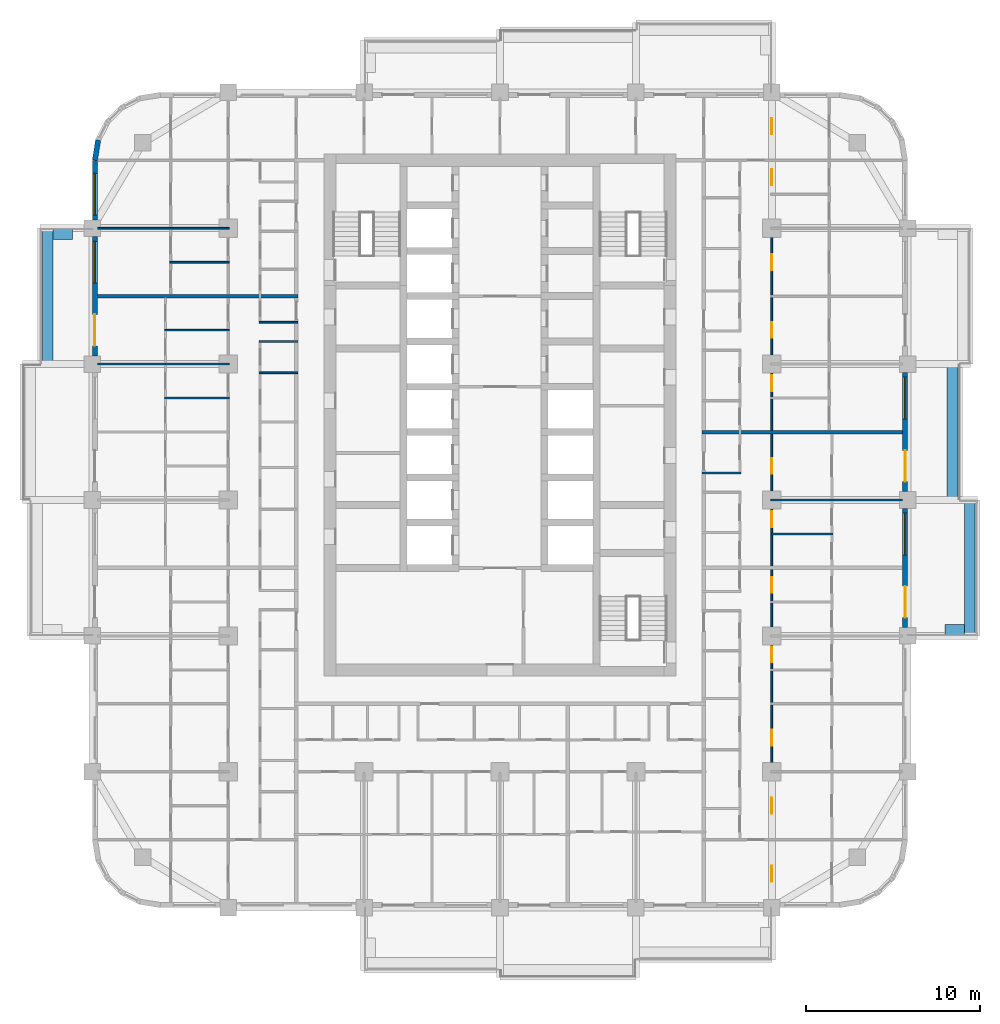
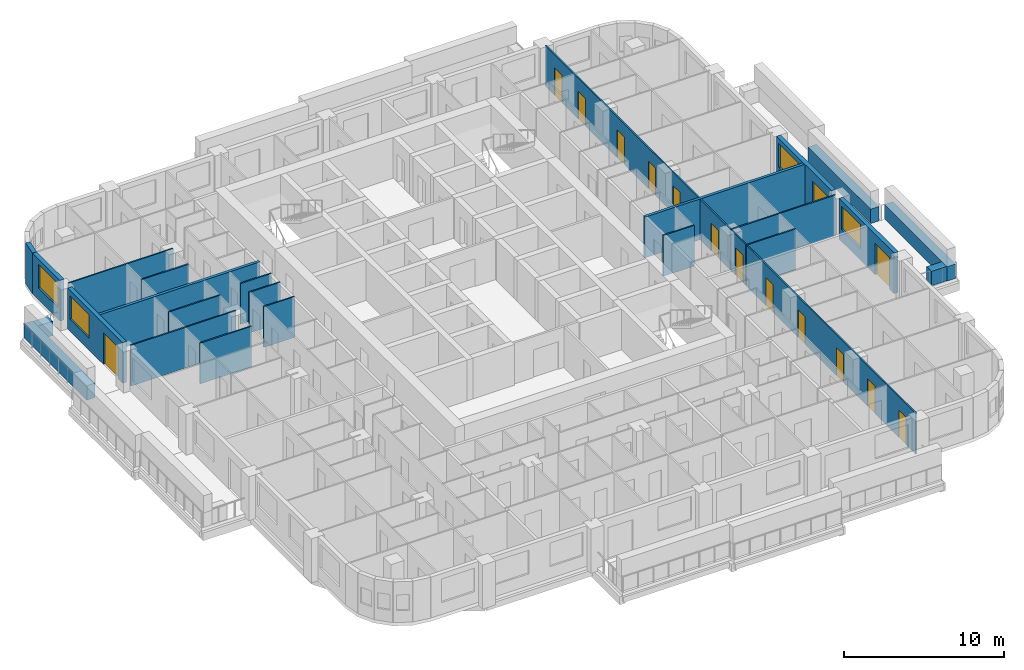
# One storey, part 9 of 17: 24 walls, 15 doors, 4 windows, 19 openings.
"""IFC4 building model written with IfcOpenShell, lengths in metres."""

from ifc_helpers import new_model, si_unit, direction, frame, frame_2d, origin, place, context, subcontext, project, spatial, rectangle, extrude, material, layer, layer_set, type_object, element, fill, save


model = new_model("IFC4")

# Units and contexts
model_context = context("Model", 3, precision=1e-05, world=origin(), true_north=direction((0.0, 1.0)))
body_context = subcontext(model_context, "Body", "Model", "MODEL_VIEW")
ifc_project = project(units=[si_unit("LENGTHUNIT", "METRE"), si_unit("AREAUNIT", "SQUARE_METRE"), si_unit("VOLUMEUNIT", "CUBIC_METRE"), si_unit("PLANEANGLEUNIT", "RADIAN"), si_unit("MASSUNIT", "GRAM", prefix="KILO")], contexts=[model_context])

# Site, building, storey
site_placement = place(None, origin())
site = spatial("IfcSite", under=ifc_project, at=site_placement, CompositionType="ELEMENT")
building_placement = place(site_placement, origin())
building = spatial("IfcBuilding", under=site, at=building_placement, Name="Ludao Terraces", CompositionType="ELEMENT")
storey_placement = place(building_placement, frame((0.0, 0.0, 92.0)))
storey = spatial("IfcBuildingStorey", under=building, at=storey_placement, Name="L25", CompositionType="ELEMENT", Elevation=92.0)

# Walls
ifc_material_1 = material(Name="Concrete C40", Category="concrete")
ifc_layer_1 = layer(ifc_material_1, 0.60009765625)
ifc_layer_set_1 = layer_set([ifc_layer_1], Name="ENV Planter trough 600")
wall_type_1 = type_object("IfcWallType", Name="ENV Planter trough 600", PredefinedType="USERDEFINED", material=ifc_layer_set_1)
wall_1_placement = place(storey_placement, frame((111.949951171875, 57.199951171875, 0.0), z_axis=(0.0, 0.0, 1.0), x_axis=(0.0, 1.0, 0.0)))
element("IfcWall", 1, at=wall_1_placement, inside=storey, type_object=wall_type_1, Name="PL-L25-E2", ObjectType="PLANTER", PredefinedType="USERDEFINED", context=body_context, shape_type="SweptSolid", body=[
    extrude(rectangle(XDim=7.800048828125, YDim=0.60009765625, at=frame_2d((3.89990234375, 0.0))), origin(), (0.0, 0.0, 1.0), 1.10009765625),
])
wall_2_placement = place(storey_placement, frame((111.64990234375, 57.550048828125, 0.0), z_axis=(0.0, 0.0, 1.0), x_axis=(-1.0, 0.0, 0.0)))
element("IfcWall", 2, at=wall_2_placement, inside=storey, type_object=wall_type_1, Name="PL-L25-E2-SA", ObjectType="PLANTER", PredefinedType="USERDEFINED", context=body_context, shape_type="SweptSolid", body=[
    extrude(rectangle(XDim=1.099853515625, YDim=0.60009765625, at=frame_2d((0.5498046875, 0.0))), origin(), (0.0, 0.0, 1.0), 1.10009765625),
])
for number, where, z_axis, x_axis, name in (
    (3, (110.949951171875, 65.0, 0.0), (0.0, 0.0, 1.0), (0.0, 1.0, 0.0), "PL-L25-E3"),
    (4, (59.050048828125, 72.800048828125, 0.0), (0.0, 0.0, 1.0), (0.0, 1.0, 0.0), "PL-L25-W4"),
):
    element("IfcWall", number, at=place(storey_placement, frame(where, z_axis=z_axis, x_axis=x_axis)), inside=storey, type_object=wall_type_1, Name=name, ObjectType="PLANTER", PredefinedType="USERDEFINED", context=body_context, shape_type="SweptSolid", body=[
        extrude(rectangle(XDim=7.800048828125, YDim=0.60009765625, at=frame_2d((3.89990234375, 0.0))), origin(), (0.0, 0.0, 1.0), 1.10009765625),
    ])
wall_3_placement = place(storey_placement, frame((59.35009765625, 80.25, 0.0), z_axis=(0.0, 0.0, 1.0), x_axis=(1.0, 0.0, 0.0)))
element("IfcWall", 5, at=wall_3_placement, inside=storey, type_object=wall_type_1, Name="PL-L25-W4-SB", ObjectType="PLANTER", PredefinedType="USERDEFINED", context=body_context, shape_type="SweptSolid", body=[
    extrude(rectangle(XDim=1.099853515625, YDim=0.60009765625, at=frame_2d((0.5498046875, 0.0))), origin(), (0.0, 0.0, 1.0), 1.10009765625),
])

# Wall, openings, door, window
ifc_material_2 = material(Name="Granite cladding", Category="masonry")
ifc_layer_2 = layer(ifc_material_2, 0.0400390625, Category="stone")
ifc_material_3 = material(Name="Mineral wool")
ifc_layer_3 = layer(ifc_material_3, 0.06005859375)
ifc_layer_4 = layer(ifc_material_1, 0.199951171875, Category="concrete")
ifc_layer_set_2 = layer_set([ifc_layer_2, ifc_layer_3, ifc_layer_4], Name="ENV Stone-clad wall 300")
wall_type_2 = type_object("IfcWallType", Name="ENV Stone-clad wall 300", PredefinedType="SOLIDWALL", material=ifc_layer_set_2)
wall_4_placement = place(storey_placement, frame((108.25, 57.675048828125, 0.0), z_axis=(0.0, 0.0, 1.0), x_axis=(0.0, 1.0, 0.0)))
wall_4 = element("IfcWall", 6, at=wall_4_placement, inside=storey, type_object=wall_type_2, Name="EW-L25-E3", PredefinedType="SOLIDWALL", context=body_context, shape_type="SweptSolid", body=[
    extrude(rectangle(XDim=6.849853515625, YDim=0.300048828125, at=frame_2d((3.4248046875, 0.0))), origin(), (0.0, 0.0, 1.0), 3.10009765625),
])
opening_1_placement = place(wall_4_placement, frame((0.574951171875, 0.0, 0.0)))
opening_1 = element("IfcOpeningElement", 7, at=opening_1_placement, cuts=wall_4, Name="Opening BD", PredefinedType="OPENING", context=body_context, shape_type="SweptSolid", body=[
    extrude(rectangle(XDim=1.800048828125, YDim=2.39990234375, at=frame_2d((0.89990234375, 1.199951171875))), frame((0.0, 0.16015625, 0.0), z_axis=(0.0, -1.0, 0.0), x_axis=(1.0, 0.0, 0.0)), (0.0, 0.0, 1.0), 0.320068359375),
])
opening_2_placement = place(wall_4_placement, frame((4.175048828125, 0.0, 0.89990234375)))
opening_2 = element("IfcOpeningElement", 8, at=opening_2_placement, cuts=wall_4, Name="Opening W1", PredefinedType="OPENING", context=body_context, shape_type="SweptSolid", body=[
    extrude(rectangle(XDim=2.39990234375, YDim=1.800048828125, at=frame_2d((1.199951171875, 0.89990234375))), frame((0.0, 0.16015625, 0.0), z_axis=(0.0, -1.0, 0.0), x_axis=(1.0, 0.0, 0.0)), (0.0, 0.0, 1.0), 0.320068359375),
])
ifc_material_4 = material(Name="Aluminium glazed door", Category="aluminium")
ifc_layer_5 = layer(ifc_material_4, 0.06005859375)
ifc_layer_set_3 = layer_set([ifc_layer_5], Name="ENV Balcony door BD 1800x2400")
door_type_1 = type_object("IfcDoorType", Name="ENV Balcony door BD 1800x2400", OperationType="DOUBLE_DOOR_SINGLE_SWING", PredefinedType="DOOR", material=ifc_layer_set_3)
door_1_placement = place(opening_1_placement, origin())
door_1 = element("IfcDoor", 9, at=door_1_placement, inside=storey, type_object=door_type_1, Name="BD-L25-E3-1", OperationType="DOUBLE_DOOR_SINGLE_SWING", OverallHeight=2.39990234375, OverallWidth=1.800048828125, PredefinedType="DOOR", context=body_context, shape_type="SweptSolid", body=[
    extrude(rectangle(XDim=1.800048828125, YDim=2.39990234375, at=frame_2d((0.89990234375, 1.199951171875))), frame((0.0, 0.02490234375, 0.0), z_axis=(0.0, -1.0, 0.0), x_axis=(1.0, 0.0, 0.0)), (0.0, 0.0, 1.0), 0.050048828125),
])
fill(opening_1, door_1)
ifc_material_5 = material(Name="Clear glass in aluminium frame", Category="aluminium")
ifc_layer_6 = layer(ifc_material_5, 0.06005859375)
ifc_layer_set_4 = layer_set([ifc_layer_6], Name="ENV Window W1 2400x1800")
window_type = type_object("IfcWindowType", Name="ENV Window W1 2400x1800", PartitioningType="DOUBLE_PANEL_VERTICAL", PredefinedType="WINDOW", material=ifc_layer_set_4)
window_1_placement = place(opening_2_placement, origin())
window_1 = element("IfcWindow", 10, at=window_1_placement, inside=storey, type_object=window_type, Name="W-L25-E3-2", OverallHeight=1.800048828125, OverallWidth=2.39990234375, PartitioningType="DOUBLE_PANEL_VERTICAL", PredefinedType="WINDOW", context=body_context, shape_type="SweptSolid", body=[
    extrude(rectangle(XDim=2.39990234375, YDim=1.800048828125, at=frame_2d((1.199951171875, 0.89990234375))), frame((0.0, 0.030029296875, 0.0), z_axis=(0.0, -1.0, 0.0), x_axis=(1.0, 0.0, 0.0)), (0.0, 0.0, 1.0), 0.06005859375),
])
fill(opening_2, window_1)

wall_5_placement = place(storey_placement, frame((108.25, 65.47509765625, 0.0), z_axis=(0.0, 0.0, 1.0), x_axis=(0.0, 1.0, 0.0)))
wall_5 = element("IfcWall", 11, at=wall_5_placement, inside=storey, type_object=wall_type_2, Name="EW-L25-E4", PredefinedType="SOLIDWALL", context=body_context, shape_type="SweptSolid", body=[
    extrude(rectangle(XDim=6.849853515625, YDim=0.300048828125, at=frame_2d((3.4248046875, 0.0))), origin(), (0.0, 0.0, 1.0), 3.10009765625),
])
opening_3_placement = place(wall_5_placement, frame((0.574951171875, 0.0, 0.0)))
opening_3 = element("IfcOpeningElement", 12, at=opening_3_placement, cuts=wall_5, Name="Opening BD", PredefinedType="OPENING", context=body_context, shape_type="SweptSolid", body=[
    extrude(rectangle(XDim=1.800048828125, YDim=2.39990234375, at=frame_2d((0.89990234375, 1.199951171875))), frame((0.0, 0.16015625, 0.0), z_axis=(0.0, -1.0, 0.0), x_axis=(1.0, 0.0, 0.0)), (0.0, 0.0, 1.0), 0.320068359375),
])
opening_4_placement = place(wall_5_placement, frame((4.175048828125, 0.0, 0.89990234375)))
opening_4 = element("IfcOpeningElement", 13, at=opening_4_placement, cuts=wall_5, Name="Opening W1", PredefinedType="OPENING", context=body_context, shape_type="SweptSolid", body=[
    extrude(rectangle(XDim=2.39990234375, YDim=1.800048828125, at=frame_2d((1.199951171875, 0.89990234375))), frame((0.0, 0.16015625, 0.0), z_axis=(0.0, -1.0, 0.0), x_axis=(1.0, 0.0, 0.0)), (0.0, 0.0, 1.0), 0.320068359375),
])
door_2_placement = place(opening_3_placement, origin())
door_2 = element("IfcDoor", 14, at=door_2_placement, inside=storey, type_object=door_type_1, Name="BD-L25-E4-1", OperationType="DOUBLE_DOOR_SINGLE_SWING", OverallHeight=2.39990234375, OverallWidth=1.800048828125, PredefinedType="DOOR", context=body_context, shape_type="SweptSolid", body=[
    extrude(rectangle(XDim=1.800048828125, YDim=2.39990234375, at=frame_2d((0.89990234375, 1.199951171875))), frame((0.0, 0.02490234375, 0.0), z_axis=(0.0, -1.0, 0.0), x_axis=(1.0, 0.0, 0.0)), (0.0, 0.0, 1.0), 0.050048828125),
])
fill(opening_3, door_2)
window_2_placement = place(opening_4_placement, origin())
window_2 = element("IfcWindow", 15, at=window_2_placement, inside=storey, type_object=window_type, Name="W-L25-E4-2", OverallHeight=1.800048828125, OverallWidth=2.39990234375, PartitioningType="DOUBLE_PANEL_VERTICAL", PredefinedType="WINDOW", context=body_context, shape_type="SweptSolid", body=[
    extrude(rectangle(XDim=2.39990234375, YDim=1.800048828125, at=frame_2d((1.199951171875, 0.89990234375))), frame((0.0, 0.030029296875, 0.0), z_axis=(0.0, -1.0, 0.0), x_axis=(1.0, 0.0, 0.0)), (0.0, 0.0, 1.0), 0.06005859375),
])
fill(opening_4, window_2)

wall_6_placement = place(storey_placement, frame((61.75, 73.27490234375, 0.0), z_axis=(0.0, 0.0, 1.0), x_axis=(0.0, 1.0, 0.0)))
wall_6 = element("IfcWall", 16, at=wall_6_placement, inside=storey, type_object=wall_type_2, Name="EW-L25-W5", PredefinedType="SOLIDWALL", context=body_context, shape_type="SweptSolid", body=[
    extrude(rectangle(XDim=6.85009765625, YDim=0.300048828125, at=frame_2d((3.425048828125, 0.0))), origin(), (0.0, 0.0, 1.0), 3.10009765625),
])
opening_5_placement = place(wall_6_placement, frame((0.574951171875, 0.0, 0.0)))
opening_5 = element("IfcOpeningElement", 17, at=opening_5_placement, cuts=wall_6, Name="Opening BD", PredefinedType="OPENING", context=body_context, shape_type="SweptSolid", body=[
    extrude(rectangle(XDim=1.800048828125, YDim=2.39990234375, at=frame_2d((0.89990234375, 1.199951171875))), frame((0.0, 0.16015625, 0.0), z_axis=(0.0, -1.0, 0.0), x_axis=(1.0, 0.0, 0.0)), (0.0, 0.0, 1.0), 0.320068359375),
])
opening_6_placement = place(wall_6_placement, frame((4.175048828125, 0.0, 0.89990234375)))
opening_6 = element("IfcOpeningElement", 18, at=opening_6_placement, cuts=wall_6, Name="Opening W1", PredefinedType="OPENING", context=body_context, shape_type="SweptSolid", body=[
    extrude(rectangle(XDim=2.39990234375, YDim=1.800048828125, at=frame_2d((1.199951171875, 0.89990234375))), frame((0.0, 0.16015625, 0.0), z_axis=(0.0, -1.0, 0.0), x_axis=(1.0, 0.0, 0.0)), (0.0, 0.0, 1.0), 0.320068359375),
])
door_3_placement = place(opening_5_placement, origin())
door_3 = element("IfcDoor", 19, at=door_3_placement, inside=storey, type_object=door_type_1, Name="BD-L25-W5-1", OperationType="DOUBLE_DOOR_SINGLE_SWING", OverallHeight=2.39990234375, OverallWidth=1.800048828125, PredefinedType="DOOR", context=body_context, shape_type="SweptSolid", body=[
    extrude(rectangle(XDim=1.800048828125, YDim=2.39990234375, at=frame_2d((0.89990234375, 1.199951171875))), frame((0.0, 0.02490234375, 0.0), z_axis=(0.0, -1.0, 0.0), x_axis=(1.0, 0.0, 0.0)), (0.0, 0.0, 1.0), 0.050048828125),
])
fill(opening_5, door_3)
window_3_placement = place(opening_6_placement, origin())
window_3 = element("IfcWindow", 20, at=window_3_placement, inside=storey, type_object=window_type, Name="W-L25-W5-2", OverallHeight=1.800048828125, OverallWidth=2.39990234375, PartitioningType="DOUBLE_PANEL_VERTICAL", PredefinedType="WINDOW", context=body_context, shape_type="SweptSolid", body=[
    extrude(rectangle(XDim=2.39990234375, YDim=1.800048828125, at=frame_2d((1.199951171875, 0.89990234375))), frame((0.0, 0.030029296875, 0.0), z_axis=(0.0, -1.0, 0.0), x_axis=(1.0, 0.0, 0.0)), (0.0, 0.0, 1.0), 0.06005859375),
])
fill(opening_6, window_3)

# Wall, opening, window
wall_7_placement = place(storey_placement, frame((61.75, 81.074951171875, 0.0), z_axis=(0.0, 0.0, 1.0), x_axis=(0.0, 1.0, 0.0)))
wall_7 = element("IfcWall", 21, at=wall_7_placement, inside=storey, type_object=wall_type_2, Name="EW-L25-W6", PredefinedType="SOLIDWALL", context=body_context, shape_type="SweptSolid", body=[
    extrude(rectangle(XDim=3.425048828125, YDim=0.300048828125, at=frame_2d((1.71240234375, 0.0))), origin(), (0.0, 0.0, 1.0), 3.10009765625),
])
opening_7_placement = place(wall_7_placement, frame((0.27490234375, 0.0, 0.89990234375)))
opening_7 = element("IfcOpeningElement", 22, at=opening_7_placement, cuts=wall_7, Name="Opening W1", PredefinedType="OPENING", context=body_context, shape_type="SweptSolid", body=[
    extrude(rectangle(XDim=2.39990234375, YDim=1.800048828125, at=frame_2d((1.199951171875, 0.89990234375))), frame((0.0, 0.16015625, 0.0), z_axis=(0.0, -1.0, 0.0), x_axis=(1.0, 0.0, 0.0)), (0.0, 0.0, 1.0), 0.320068359375),
])
window_4_placement = place(opening_7_placement, origin())
window_4 = element("IfcWindow", 23, at=window_4_placement, inside=storey, type_object=window_type, Name="W-L25-W6-1", OverallHeight=1.800048828125, OverallWidth=2.39990234375, PartitioningType="DOUBLE_PANEL_VERTICAL", PredefinedType="WINDOW", context=body_context, shape_type="SweptSolid", body=[
    extrude(rectangle(XDim=2.39990234375, YDim=1.800048828125, at=frame_2d((1.199951171875, 0.89990234375))), frame((0.0, 0.030029296875, 0.0), z_axis=(0.0, -1.0, 0.0), x_axis=(1.0, 0.0, 0.0)), (0.0, 0.0, 1.0), 0.06005859375),
])
fill(opening_7, window_4)

# Walls
wall_8_placement = place(storey_placement, frame((61.93359375, 85.65869140625, 0.0), z_axis=(0.0, 0.0, 1.0), x_axis=(-0.156496880861, -0.987678452879, 0.0)))
element("IfcWall", 24, at=wall_8_placement, inside=storey, type_object=wall_type_2, Name="EW-L25-NW5", PredefinedType="SOLIDWALL", context=body_context, shape_type="SweptSolid", body=[
    extrude(rectangle(XDim=1.173095703125, YDim=0.300048828125, at=frame_2d((0.58642578125, 0.0))), origin(), (0.0, 0.0, 1.0), 3.10009765625),
])
ifc_material_6 = material(Name="Gypsum plasterboard", Category="gypsum")
ifc_layer_7 = layer(ifc_material_6, 0.012451171875, Category="gypsum")
ifc_layer_8 = layer(ifc_material_3, 0.06005859375, Name="insulation")
ifc_material_7 = material(Name="Steel Q235", Category="steel")
ifc_layer_9 = layer(ifc_material_7, 0.014892578125, Name="stud")
ifc_layer_10 = layer(ifc_material_6, 0.012451171875, Category="gypsum")
ifc_layer_set_5 = layer_set([ifc_layer_7, ifc_layer_8, ifc_layer_9, ifc_layer_10], Name="INT Partition 100")
wall_type_3 = type_object("IfcWallType", Name="INT Partition 100", PredefinedType="PARTITIONING", material=ifc_layer_set_5)
wall_9_placement = place(storey_placement, frame((100.550048828125, 63.050048828125, 0.0), z_axis=(0.0, 0.0, 1.0), x_axis=(1.0, 0.0, 0.0)))
element("IfcWall", 25, at=wall_9_placement, inside=storey, type_object=wall_type_3, Name="PW-L25-PW035", PredefinedType="PARTITIONING", context=body_context, shape_type="SweptSolid", body=[
    extrude(rectangle(XDim=3.550048828125, YDim=0.10009765625, at=frame_2d((1.77490234375, 0.0))), origin(), (0.0, 0.0, 1.0), 3.10009765625),
])
wall_10_placement = place(storey_placement, frame((100.550048828125, 65.0, 0.0), z_axis=(0.0, 0.0, 1.0), x_axis=(1.0, 0.0, 0.0)))
element("IfcWall", 26, at=wall_10_placement, inside=storey, type_object=wall_type_3, Name="PW-L25-PW039", PredefinedType="PARTITIONING", context=body_context, shape_type="SweptSolid", body=[
    extrude(rectangle(XDim=7.550048828125, YDim=0.10009765625, at=frame_2d((3.77490234375, 0.0))), origin(), (0.0, 0.0, 1.0), 3.10009765625),
])
wall_11_placement = place(storey_placement, frame((96.60009765625, 66.550048828125, 0.0), z_axis=(0.0, 0.0, 1.0), x_axis=(1.0, 0.0, 0.0)))
element("IfcWall", 27, at=wall_11_placement, inside=storey, type_object=wall_type_3, Name="PW-L25-PW041", PredefinedType="PARTITIONING", context=body_context, shape_type="SweptSolid", body=[
    extrude(rectangle(XDim=2.219970703125, YDim=0.10009765625, at=frame_2d((1.10986328125, 0.0))), origin(), (0.0, 0.0, 1.0), 3.10009765625),
])
wall_12_placement = place(storey_placement, frame((65.75, 70.85009765625, 0.0), z_axis=(0.0, 0.0, 1.0), x_axis=(1.0, 0.0, 0.0)))
element("IfcWall", 28, at=wall_12_placement, inside=storey, type_object=wall_type_3, Name="PW-L25-PW050", PredefinedType="PARTITIONING", context=body_context, shape_type="SweptSolid", body=[
    extrude(rectangle(XDim=3.7001953125, YDim=0.10009765625, at=frame_2d((1.85009765625, 0.0))), origin(), (0.0, 0.0, 1.0), 3.10009765625),
])
wall_13_placement = place(storey_placement, frame((71.18017578125, 72.300048828125, 0.0), z_axis=(0.0, 0.0, 1.0), x_axis=(1.0, 0.0, 0.0)))
element("IfcWall", 29, at=wall_13_placement, inside=storey, type_object=wall_type_3, Name="PW-L25-PW053", PredefinedType="PARTITIONING", context=body_context, shape_type="SweptSolid", body=[
    extrude(rectangle(XDim=2.219970703125, YDim=0.10009765625, at=frame_2d((1.10986328125, 0.0))), origin(), (0.0, 0.0, 1.0), 3.10009765625),
])
wall_14_placement = place(storey_placement, frame((61.900146484375, 72.800048828125, 0.0), z_axis=(0.0, 0.0, 1.0), x_axis=(1.0, 0.0, 0.0)))
element("IfcWall", 30, at=wall_14_placement, inside=storey, type_object=wall_type_3, Name="PW-L25-PW054", PredefinedType="PARTITIONING", context=body_context, shape_type="SweptSolid", body=[
    extrude(rectangle(XDim=7.550048828125, YDim=0.10009765625, at=frame_2d((3.77490234375, 0.0))), origin(), (0.0, 0.0, 1.0), 3.10009765625),
])
wall_15_placement = place(storey_placement, frame((71.18017578125, 74.10009765625, 0.0), z_axis=(0.0, 0.0, 1.0), x_axis=(1.0, 0.0, 0.0)))
element("IfcWall", 31, at=wall_15_placement, inside=storey, type_object=wall_type_3, Name="PW-L25-PW057", PredefinedType="PARTITIONING", context=body_context, shape_type="SweptSolid", body=[
    extrude(rectangle(XDim=2.219970703125, YDim=0.10009765625, at=frame_2d((1.10986328125, 0.0))), origin(), (0.0, 0.0, 1.0), 3.10009765625),
])
wall_16_placement = place(storey_placement, frame((65.75, 74.75, 0.0), z_axis=(0.0, 0.0, 1.0), x_axis=(1.0, 0.0, 0.0)))
element("IfcWall", 32, at=wall_16_placement, inside=storey, type_object=wall_type_3, Name="PW-L25-PW059", PredefinedType="PARTITIONING", context=body_context, shape_type="SweptSolid", body=[
    extrude(rectangle(XDim=3.7001953125, YDim=0.10009765625, at=frame_2d((1.85009765625, 0.0))), origin(), (0.0, 0.0, 1.0), 3.10009765625),
])
wall_17_placement = place(storey_placement, frame((71.18017578125, 75.199951171875, 0.0), z_axis=(0.0, 0.0, 1.0), x_axis=(1.0, 0.0, 0.0)))
element("IfcWall", 33, at=wall_17_placement, inside=storey, type_object=wall_type_3, Name="PW-L25-PW060", PredefinedType="PARTITIONING", context=body_context, shape_type="SweptSolid", body=[
    extrude(rectangle(XDim=2.219970703125, YDim=0.10009765625, at=frame_2d((1.10986328125, 0.0))), origin(), (0.0, 0.0, 1.0), 3.10009765625),
])
wall_18_placement = place(storey_placement, frame((66.050048828125, 78.64990234375, 0.0), z_axis=(0.0, 0.0, 1.0), x_axis=(1.0, 0.0, 0.0)))
element("IfcWall", 34, at=wall_18_placement, inside=storey, type_object=wall_type_3, Name="PW-L25-PW066", PredefinedType="PARTITIONING", context=body_context, shape_type="SweptSolid", body=[
    extrude(rectangle(XDim=3.400146484375, YDim=0.10009765625, at=frame_2d((1.7001953125, 0.0))), origin(), (0.0, 0.0, 1.0), 3.10009765625),
])
wall_19_placement = place(storey_placement, frame((61.900146484375, 80.60009765625, 0.0), z_axis=(0.0, 0.0, 1.0), x_axis=(1.0, 0.0, 0.0)))
element("IfcWall", 35, at=wall_19_placement, inside=storey, type_object=wall_type_3, Name="PW-L25-PW069", PredefinedType="PARTITIONING", context=body_context, shape_type="SweptSolid", body=[
    extrude(rectangle(XDim=7.550048828125, YDim=0.10009765625, at=frame_2d((3.77490234375, 0.0))), origin(), (0.0, 0.0, 1.0), 3.10009765625),
])

# Wall, openings, doors
wall_20_placement = place(storey_placement, frame((100.60009765625, 41.900146484375, 0.0), z_axis=(0.0, 0.0, 1.0), x_axis=(0.0, 1.0, 0.0)))
wall_20 = element("IfcWall", 36, at=wall_20_placement, inside=storey, type_object=wall_type_3, Name="PW-L25-PW121", PredefinedType="PARTITIONING", context=body_context, shape_type="SweptSolid", body=[
    extrude(rectangle(XDim=46.199951171875, YDim=0.10009765625, at=frame_2d((23.10009765625, 0.0))), origin(), (0.0, 0.0, 1.0), 3.10009765625),
])
opening_8_placement = place(wall_20_placement, frame((1.199951171875, 0.0, 0.0)))
opening_8 = element("IfcOpeningElement", 37, at=opening_8_placement, cuts=wall_20, Name="Opening R07-003", PredefinedType="OPENING", context=body_context, shape_type="SweptSolid", body=[
    extrude(rectangle(XDim=0.89990234375, YDim=2.10009765625, at=frame_2d((0.449951171875, 1.050048828125))), frame((0.0, 0.06005859375, 0.0), z_axis=(0.0, -1.0, 0.0), x_axis=(1.0, 0.0, 0.0)), (0.0, 0.0, 1.0), 0.1201171875),
])
opening_9_placement = place(wall_20_placement, frame((5.10009765625, 0.0, 0.0)))
opening_9 = element("IfcOpeningElement", 38, at=opening_9_placement, cuts=wall_20, Name="Opening R07-020", PredefinedType="OPENING", context=body_context, shape_type="SweptSolid", body=[
    extrude(rectangle(XDim=0.89990234375, YDim=2.10009765625, at=frame_2d((0.449951171875, 1.050048828125))), frame((0.0, 0.06005859375, 0.0), z_axis=(0.0, -1.0, 0.0), x_axis=(1.0, 0.0, 0.0)), (0.0, 0.0, 1.0), 0.1201171875),
])
opening_10_placement = place(wall_20_placement, frame((9.0, 0.0, 0.0)))
opening_10 = element("IfcOpeningElement", 39, at=opening_10_placement, cuts=wall_20, Name="Opening R07-043", PredefinedType="OPENING", context=body_context, shape_type="SweptSolid", body=[
    extrude(rectangle(XDim=0.89990234375, YDim=2.10009765625, at=frame_2d((0.449951171875, 1.050048828125))), frame((0.0, 0.06005859375, 0.0), z_axis=(0.0, -1.0, 0.0), x_axis=(1.0, 0.0, 0.0)), (0.0, 0.0, 1.0), 0.1201171875),
])
opening_11_placement = place(wall_20_placement, frame((13.77490234375, 0.0, 0.0)))
opening_11 = element("IfcOpeningElement", 40, at=opening_11_placement, cuts=wall_20, Name="Opening R07-055", PredefinedType="OPENING", context=body_context, shape_type="SweptSolid", body=[
    extrude(rectangle(XDim=0.89990234375, YDim=2.10009765625, at=frame_2d((0.449951171875, 1.050048828125))), frame((0.0, 0.06005859375, 0.0), z_axis=(0.0, -1.0, 0.0), x_axis=(1.0, 0.0, 0.0)), (0.0, 0.0, 1.0), 0.1201171875),
])
opening_12_placement = place(wall_20_placement, frame((17.77490234375, 0.0, 0.0)))
opening_12 = element("IfcOpeningElement", 41, at=opening_12_placement, cuts=wall_20, Name="Opening R07-068", PredefinedType="OPENING", context=body_context, shape_type="SweptSolid", body=[
    extrude(rectangle(XDim=0.89990234375, YDim=2.10009765625, at=frame_2d((0.449951171875, 1.050048828125))), frame((0.0, 0.06005859375, 0.0), z_axis=(0.0, -1.0, 0.0), x_axis=(1.0, 0.0, 0.0)), (0.0, 0.0, 1.0), 0.1201171875),
])
opening_13_placement = place(wall_20_placement, frame((21.550048828125, 0.0, 0.0)))
opening_13 = element("IfcOpeningElement", 42, at=opening_13_placement, cuts=wall_20, Name="Opening R07-081", PredefinedType="OPENING", context=body_context, shape_type="SweptSolid", body=[
    extrude(rectangle(XDim=0.89990234375, YDim=2.10009765625, at=frame_2d((0.449951171875, 1.050048828125))), frame((0.0, 0.06005859375, 0.0), z_axis=(0.0, -1.0, 0.0), x_axis=(1.0, 0.0, 0.0)), (0.0, 0.0, 1.0), 0.1201171875),
])
opening_14_placement = place(wall_20_placement, frame((24.60009765625, 0.0, 0.0)))
opening_14 = element("IfcOpeningElement", 43, at=opening_14_placement, cuts=wall_20, Name="Opening R07-088", PredefinedType="OPENING", context=body_context, shape_type="SweptSolid", body=[
    extrude(rectangle(XDim=0.89990234375, YDim=2.10009765625, at=frame_2d((0.449951171875, 1.050048828125))), frame((0.0, 0.06005859375, 0.0), z_axis=(0.0, -1.0, 0.0), x_axis=(1.0, 0.0, 0.0)), (0.0, 0.0, 1.0), 0.1201171875),
])
opening_15_placement = place(wall_20_placement, frame((29.35009765625, 0.0, 0.0)))
opening_15 = element("IfcOpeningElement", 44, at=opening_15_placement, cuts=wall_20, Name="Opening R07-105", PredefinedType="OPENING", context=body_context, shape_type="SweptSolid", body=[
    extrude(rectangle(XDim=0.89990234375, YDim=2.10009765625, at=frame_2d((0.449951171875, 1.050048828125))), frame((0.0, 0.06005859375, 0.0), z_axis=(0.0, -1.0, 0.0), x_axis=(1.0, 0.0, 0.0)), (0.0, 0.0, 1.0), 0.1201171875),
])
opening_16_placement = place(wall_20_placement, frame((32.39990234375, 0.0, 0.0)))
opening_16 = element("IfcOpeningElement", 45, at=opening_16_placement, cuts=wall_20, Name="Opening R07-114", PredefinedType="OPENING", context=body_context, shape_type="SweptSolid", body=[
    extrude(rectangle(XDim=0.89990234375, YDim=2.10009765625, at=frame_2d((0.449951171875, 1.050048828125))), frame((0.0, 0.06005859375, 0.0), z_axis=(0.0, -1.0, 0.0), x_axis=(1.0, 0.0, 0.0)), (0.0, 0.0, 1.0), 0.1201171875),
])
opening_17_placement = place(wall_20_placement, frame((36.300048828125, 0.0, 0.0)))
opening_17 = element("IfcOpeningElement", 46, at=opening_17_placement, cuts=wall_20, Name="Opening R07-134", PredefinedType="OPENING", context=body_context, shape_type="SweptSolid", body=[
    extrude(rectangle(XDim=0.89990234375, YDim=2.10009765625, at=frame_2d((0.449951171875, 1.050048828125))), frame((0.0, 0.06005859375, 0.0), z_axis=(0.0, -1.0, 0.0), x_axis=(1.0, 0.0, 0.0)), (0.0, 0.0, 1.0), 0.1201171875),
])
opening_18_placement = place(wall_20_placement, frame((41.175048828125, 0.0, 0.0)))
opening_18 = element("IfcOpeningElement", 47, at=opening_18_placement, cuts=wall_20, Name="Opening R07-150", PredefinedType="OPENING", context=body_context, shape_type="SweptSolid", body=[
    extrude(rectangle(XDim=0.89990234375, YDim=2.10009765625, at=frame_2d((0.449951171875, 1.050048828125))), frame((0.0, 0.06005859375, 0.0), z_axis=(0.0, -1.0, 0.0), x_axis=(1.0, 0.0, 0.0)), (0.0, 0.0, 1.0), 0.1201171875),
])
opening_19_placement = place(wall_20_placement, frame((44.10009765625, 0.0, 0.0)))
opening_19 = element("IfcOpeningElement", 48, at=opening_19_placement, cuts=wall_20, Name="Opening R07-163", PredefinedType="OPENING", context=body_context, shape_type="SweptSolid", body=[
    extrude(rectangle(XDim=0.89990234375, YDim=2.10009765625, at=frame_2d((0.449951171875, 1.050048828125))), frame((0.0, 0.06005859375, 0.0), z_axis=(0.0, -1.0, 0.0), x_axis=(1.0, 0.0, 0.0)), (0.0, 0.0, 1.0), 0.1201171875),
])
ifc_material_8 = material(Name="Timber door leaf", Category="wood")
door_type_2 = type_object("IfcDoorType", Name="INT Room door 900", OperationType="SINGLE_SWING_LEFT", PredefinedType="DOOR", material=ifc_material_8)
door_4_placement = place(opening_8_placement, origin())
door_4 = element("IfcDoor", 49, at=door_4_placement, inside=storey, type_object=door_type_2, Name="DOOR 003", OperationType="SINGLE_SWING_RIGHT", OverallHeight=2.10009765625, OverallWidth=0.89990234375, PredefinedType="DOOR", context=body_context, shape_type="SweptSolid", body=[
    extrude(rectangle(XDim=0.89990234375, YDim=2.10009765625, at=frame_2d((0.449951171875, 1.050048828125))), frame((0.0, 0.02490234375, 0.0), z_axis=(0.0, -1.0, 0.0), x_axis=(1.0, 0.0, 0.0)), (0.0, 0.0, 1.0), 0.050048828125),
])
fill(opening_8, door_4)
door_5_placement = place(opening_9_placement, origin())
door_5 = element("IfcDoor", 50, at=door_5_placement, inside=storey, type_object=door_type_2, Name="DOOR 020", OperationType="SINGLE_SWING_RIGHT", OverallHeight=2.10009765625, OverallWidth=0.89990234375, PredefinedType="DOOR", context=body_context, shape_type="SweptSolid", body=[
    extrude(rectangle(XDim=0.89990234375, YDim=2.10009765625, at=frame_2d((0.449951171875, 1.050048828125))), frame((0.0, 0.02490234375, 0.0), z_axis=(0.0, -1.0, 0.0), x_axis=(1.0, 0.0, 0.0)), (0.0, 0.0, 1.0), 0.050048828125),
])
fill(opening_9, door_5)
door_6_placement = place(opening_10_placement, origin())
door_6 = element("IfcDoor", 51, at=door_6_placement, inside=storey, type_object=door_type_2, Name="DOOR 043", OperationType="SINGLE_SWING_LEFT", OverallHeight=2.10009765625, OverallWidth=0.89990234375, PredefinedType="DOOR", context=body_context, shape_type="SweptSolid", body=[
    extrude(rectangle(XDim=0.89990234375, YDim=2.10009765625, at=frame_2d((0.449951171875, 1.050048828125))), frame((0.0, 0.02490234375, 0.0), z_axis=(0.0, -1.0, 0.0), x_axis=(1.0, 0.0, 0.0)), (0.0, 0.0, 1.0), 0.050048828125),
])
fill(opening_10, door_6)
door_7_placement = place(opening_11_placement, origin())
door_7 = element("IfcDoor", 52, at=door_7_placement, inside=storey, type_object=door_type_2, Name="DOOR 055", OperationType="SINGLE_SWING_RIGHT", OverallHeight=2.10009765625, OverallWidth=0.89990234375, PredefinedType="DOOR", context=body_context, shape_type="SweptSolid", body=[
    extrude(rectangle(XDim=0.89990234375, YDim=2.10009765625, at=frame_2d((0.449951171875, 1.050048828125))), frame((0.0, 0.02490234375, 0.0), z_axis=(0.0, -1.0, 0.0), x_axis=(1.0, 0.0, 0.0)), (0.0, 0.0, 1.0), 0.050048828125),
])
fill(opening_11, door_7)
door_8_placement = place(opening_12_placement, origin())
door_8 = element("IfcDoor", 53, at=door_8_placement, inside=storey, type_object=door_type_2, Name="DOOR 068", OperationType="SINGLE_SWING_LEFT", OverallHeight=2.10009765625, OverallWidth=0.89990234375, PredefinedType="DOOR", context=body_context, shape_type="SweptSolid", body=[
    extrude(rectangle(XDim=0.89990234375, YDim=2.10009765625, at=frame_2d((0.449951171875, 1.050048828125))), frame((0.0, 0.02490234375, 0.0), z_axis=(0.0, -1.0, 0.0), x_axis=(1.0, 0.0, 0.0)), (0.0, 0.0, 1.0), 0.050048828125),
])
fill(opening_12, door_8)
door_9_placement = place(opening_13_placement, origin())
door_9 = element("IfcDoor", 54, at=door_9_placement, inside=storey, type_object=door_type_2, Name="DOOR 081", OperationType="SINGLE_SWING_RIGHT", OverallHeight=2.10009765625, OverallWidth=0.89990234375, PredefinedType="DOOR", context=body_context, shape_type="SweptSolid", body=[
    extrude(rectangle(XDim=0.89990234375, YDim=2.10009765625, at=frame_2d((0.449951171875, 1.050048828125))), frame((0.0, 0.02490234375, 0.0), z_axis=(0.0, -1.0, 0.0), x_axis=(1.0, 0.0, 0.0)), (0.0, 0.0, 1.0), 0.050048828125),
])
fill(opening_13, door_9)
door_10_placement = place(opening_14_placement, origin())
door_10 = element("IfcDoor", 55, at=door_10_placement, inside=storey, type_object=door_type_2, Name="DOOR 088", OperationType="SINGLE_SWING_RIGHT", OverallHeight=2.10009765625, OverallWidth=0.89990234375, PredefinedType="DOOR", context=body_context, shape_type="SweptSolid", body=[
    extrude(rectangle(XDim=0.89990234375, YDim=2.10009765625, at=frame_2d((0.449951171875, 1.050048828125))), frame((0.0, 0.02490234375, 0.0), z_axis=(0.0, -1.0, 0.0), x_axis=(1.0, 0.0, 0.0)), (0.0, 0.0, 1.0), 0.050048828125),
])
fill(opening_14, door_10)
door_11_placement = place(opening_15_placement, origin())
door_11 = element("IfcDoor", 56, at=door_11_placement, inside=storey, type_object=door_type_2, Name="DOOR 105", OperationType="SINGLE_SWING_RIGHT", OverallHeight=2.10009765625, OverallWidth=0.89990234375, PredefinedType="DOOR", context=body_context, shape_type="SweptSolid", body=[
    extrude(rectangle(XDim=0.89990234375, YDim=2.10009765625, at=frame_2d((0.449951171875, 1.050048828125))), frame((0.0, 0.02490234375, 0.0), z_axis=(0.0, -1.0, 0.0), x_axis=(1.0, 0.0, 0.0)), (0.0, 0.0, 1.0), 0.050048828125),
])
fill(opening_15, door_11)
door_12_placement = place(opening_16_placement, origin())
door_12 = element("IfcDoor", 57, at=door_12_placement, inside=storey, type_object=door_type_2, Name="DOOR 114", OperationType="SINGLE_SWING_RIGHT", OverallHeight=2.10009765625, OverallWidth=0.89990234375, PredefinedType="DOOR", context=body_context, shape_type="SweptSolid", body=[
    extrude(rectangle(XDim=0.89990234375, YDim=2.10009765625, at=frame_2d((0.449951171875, 1.050048828125))), frame((0.0, 0.02490234375, 0.0), z_axis=(0.0, -1.0, 0.0), x_axis=(1.0, 0.0, 0.0)), (0.0, 0.0, 1.0), 0.050048828125),
])
fill(opening_16, door_12)
door_13_placement = place(opening_17_placement, origin())
door_13 = element("IfcDoor", 58, at=door_13_placement, inside=storey, type_object=door_type_2, Name="DOOR 134", OperationType="SINGLE_SWING_LEFT", OverallHeight=2.10009765625, OverallWidth=0.89990234375, PredefinedType="DOOR", context=body_context, shape_type="SweptSolid", body=[
    extrude(rectangle(XDim=0.89990234375, YDim=2.10009765625, at=frame_2d((0.449951171875, 1.050048828125))), frame((0.0, 0.02490234375, 0.0), z_axis=(0.0, -1.0, 0.0), x_axis=(1.0, 0.0, 0.0)), (0.0, 0.0, 1.0), 0.050048828125),
])
fill(opening_17, door_13)
door_14_placement = place(opening_18_placement, origin())
door_14 = element("IfcDoor", 59, at=door_14_placement, inside=storey, type_object=door_type_2, Name="DOOR 150", OperationType="SINGLE_SWING_RIGHT", OverallHeight=2.10009765625, OverallWidth=0.89990234375, PredefinedType="DOOR", context=body_context, shape_type="SweptSolid", body=[
    extrude(rectangle(XDim=0.89990234375, YDim=2.10009765625, at=frame_2d((0.449951171875, 1.050048828125))), frame((0.0, 0.02490234375, 0.0), z_axis=(0.0, -1.0, 0.0), x_axis=(1.0, 0.0, 0.0)), (0.0, 0.0, 1.0), 0.050048828125),
])
fill(opening_18, door_14)
door_15_placement = place(opening_19_placement, origin())
door_15 = element("IfcDoor", 60, at=door_15_placement, inside=storey, type_object=door_type_2, Name="DOOR 163", OperationType="SINGLE_SWING_LEFT", OverallHeight=2.10009765625, OverallWidth=0.89990234375, PredefinedType="DOOR", context=body_context, shape_type="SweptSolid", body=[
    extrude(rectangle(XDim=0.89990234375, YDim=2.10009765625, at=frame_2d((0.449951171875, 1.050048828125))), frame((0.0, 0.02490234375, 0.0), z_axis=(0.0, -1.0, 0.0), x_axis=(1.0, 0.0, 0.0)), (0.0, 0.0, 1.0), 0.050048828125),
])
fill(opening_19, door_15)

# Walls
ifc_material_9 = material(Name="Autoclaved aerated concrete block B06 A3.5", Category="concrete")
ifc_layer_11 = layer(ifc_material_9, 0.199951171875)
ifc_layer_set_6 = layer_set([ifc_layer_11], Name="INT Party wall 200")
wall_type_4 = type_object("IfcWallType", Name="INT Party wall 200", PredefinedType="PARTITIONING", material=ifc_layer_set_6)
for number, where, z_axis, x_axis, name in (
    (61, (96.60009765625, 68.89990234375, 0.0), (0.0, 0.0, 1.0), (1.0, 0.0, 0.0), "PW-L25-PW046"),
    (62, (61.900146484375, 76.699951171875, 0.0), (0.0, 0.0, 1.0), (1.0, 0.0, 0.0), "PW-L25-PW061"),
):
    element("IfcWall", number, at=place(storey_placement, frame(where, z_axis=z_axis, x_axis=x_axis)), inside=storey, type_object=wall_type_4, Name=name, PredefinedType="PARTITIONING", context=body_context, shape_type="SweptSolid", body=[
        extrude(rectangle(XDim=11.5, YDim=0.199951171875, at=frame_2d((5.75, 0.0))), origin(), (0.0, 0.0, 1.0), 3.10009765625),
    ])

save(model, "model.ifc")
